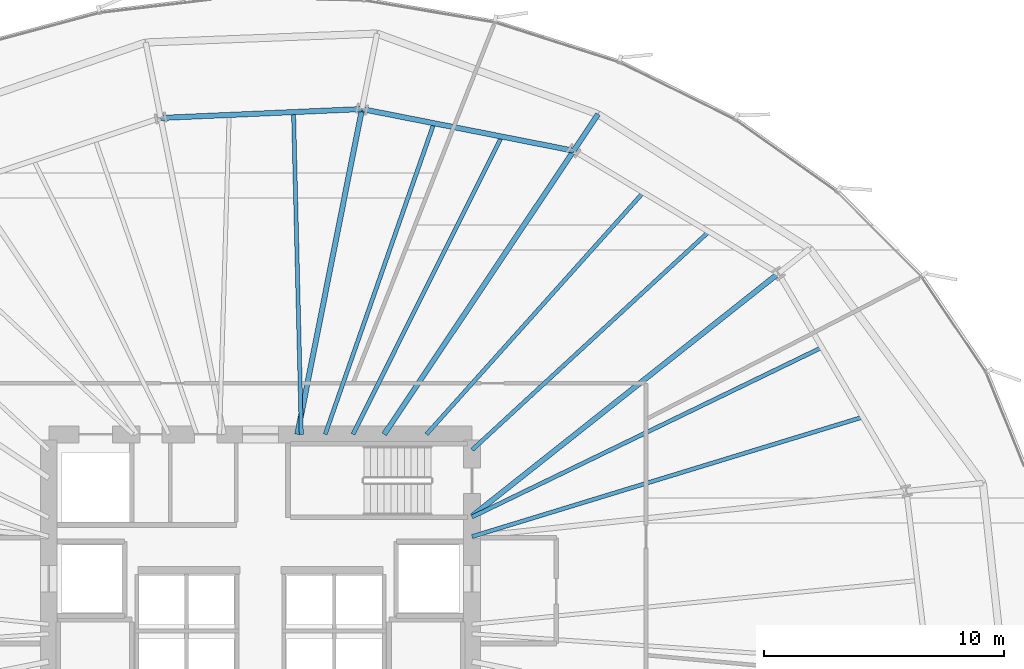
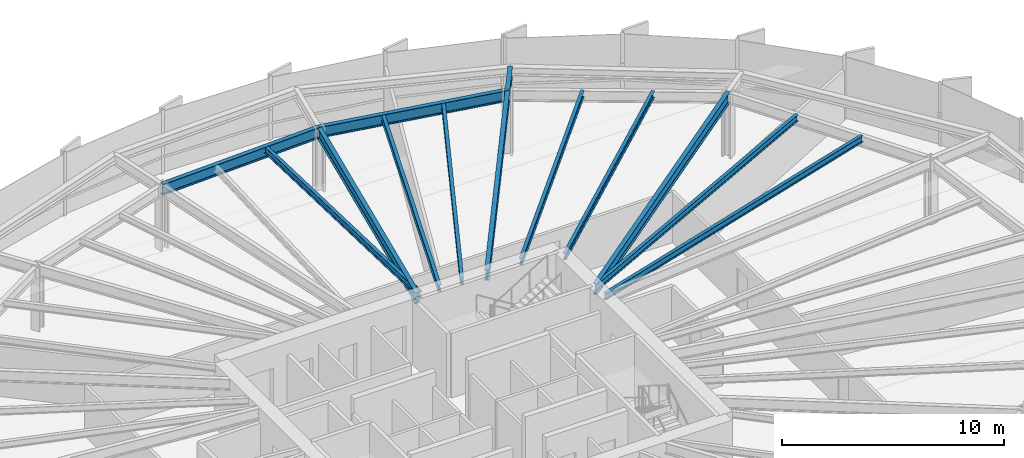
# One storey, part 22 of 39: 13 beams.
"""IFC4 building model written with IfcOpenShell, lengths in metres."""

from ifc_helpers import new_model, si_unit, direction, frame, origin, origin_2d, place, context, subcontext, project, spatial, i_section, extrude, source, transform, mapped, material, material_profile, profile_set, type_object, element, save


model = new_model("IFC4")

# Units and contexts
model_context = context("Model", 3, precision=1e-05, world=origin(), true_north=direction((0.0, 1.0)))
body_context = subcontext(model_context, "Body", "Model", "MODEL_VIEW")
ifc_project = project(units=[si_unit("LENGTHUNIT", "METRE"), si_unit("AREAUNIT", "SQUARE_METRE"), si_unit("VOLUMEUNIT", "CUBIC_METRE"), si_unit("PLANEANGLEUNIT", "RADIAN"), si_unit("MASSUNIT", "GRAM", prefix="KILO"), si_unit("THERMODYNAMICTEMPERATUREUNIT", "KELVIN")], contexts=[model_context])

# Site, building, storey
site_placement = place(None, origin())
site = spatial("IfcSite", under=ifc_project, at=site_placement, CompositionType="ELEMENT")
building_placement = place(site_placement, origin())
building = spatial("IfcBuilding", under=site, at=building_placement, Name="Kethvar Cultural Tower", CompositionType="ELEMENT")
storey_placement = place(building_placement, frame((0.0, 0.0, 41.0)))
storey = spatial("IfcBuildingStorey", under=building, at=storey_placement, Name="L09", CompositionType="ELEMENT", Elevation=41.0)

# Beams
ifc_material = material(Name="Steel S355J2", Category="steel")
ifc_material_profile_1 = material_profile(ifc_material, i_section(OverallWidth=0.219970703125, OverallDepth=0.60009765625, WebThickness=0.011962890625, FlangeThickness=0.01904296875, FilletRadius=0.02392578125, at=origin_2d()), Name="Steel S355J2 — IPE600")
ifc_profile_set_1 = profile_set([ifc_material_profile_1], Name="Steel S355J2 — IPE600")
beam_type_1 = type_object("IfcBeamType", Name="BM-IPE600", PredefinedType="BEAM", material=ifc_profile_set_1)
shared_shape_1 = source(origin(), body_context, "Body", "SweptSolid", [
    extrude(i_section(OverallWidth=0.219970703125, OverallDepth=0.60009765625, WebThickness=0.011962890625, FlangeThickness=0.01904296875, FilletRadius=0.02392578125, at=origin_2d()), origin(), (0.0, 0.0, 1.0), 16.248779296875),
])
beam_1_placement = place(storey_placement, frame((55.60009765625, 32.10009765625, 3.248046875), z_axis=(0.783831288624, 0.620973840813, 0.0), x_axis=(-0.620973840813, 0.783831288624, 0.0)))
element("IfcBeam", 1, at=beam_1_placement, inside=storey, type_object=beam_type_1, Name="L09 Primary Radial Beam RB-02", PredefinedType="BEAM", context=body_context, shape_type="MappedRepresentation", body=[
    mapped(shared_shape_1, transform((0.0, 0.0, 0.0), scale=1.0)),
])
shared_shape_2 = source(origin(), body_context, "Body", "SweptSolid", [
    extrude(i_section(OverallWidth=0.219970703125, OverallDepth=0.60009765625, WebThickness=0.011962890625, FlangeThickness=0.01904296875, FilletRadius=0.02392578125, at=origin_2d()), origin(), (0.0, 0.0, 1.0), 14.18359375),
])
beam_2_placement = place(storey_placement, frame((51.945068359375, 35.5, 3.248046875), z_axis=(0.55556584065, 0.831472547174, 0.0), x_axis=(-0.831472547174, 0.55556584065, 0.0)))
element("IfcBeam", 2, at=beam_2_placement, inside=storey, type_object=beam_type_1, Name="L09 Primary Radial Beam RB-03", PredefinedType="BEAM", context=body_context, shape_type="MappedRepresentation", body=[
    mapped(shared_shape_2, transform((0.0, 0.0, 0.0), scale=1.0)),
])
shared_shape_3 = source(origin(), body_context, "Body", "SweptSolid", [
    extrude(i_section(OverallWidth=0.219970703125, OverallDepth=0.60009765625, WebThickness=0.011962890625, FlangeThickness=0.01904296875, FilletRadius=0.02392578125, at=origin_2d()), origin(), (0.0, 0.0, 1.0), 13.791015625),
])
beam_3_placement = place(storey_placement, frame((48.33154296875, 35.5, 3.248046875), z_axis=(0.195104916429, 0.980782377281, 0.0), x_axis=(-0.980782377281, 0.195104916429, 0.0)))
element("IfcBeam", 3, at=beam_3_placement, inside=storey, type_object=beam_type_1, Name="L09 Primary Radial Beam RB-04", PredefinedType="BEAM", context=body_context, shape_type="MappedRepresentation", body=[
    mapped(shared_shape_3, transform((0.0, 0.0, 0.0), scale=1.0)),
])
ifc_material_profile_2 = material_profile(ifc_material, i_section(OverallWidth=0.169921875, OverallDepth=0.360107421875, WebThickness=0.008056640625, FlangeThickness=0.0126953125, FilletRadius=0.01806640625, at=origin_2d()), Name="Steel S355J2 — IPE360")
ifc_profile_set_2 = profile_set([ifc_material_profile_2], Name="Steel S355J2 — IPE360")
beam_type_2 = type_object("IfcBeamType", Name="BM-J360", PredefinedType="JOIST", material=ifc_profile_set_2)
shared_shape_4 = source(origin(), body_context, "Body", "SweptSolid", [
    extrude(i_section(OverallWidth=0.169921875, OverallDepth=0.360107421875, WebThickness=0.008056640625, FlangeThickness=0.0126953125, FilletRadius=0.01806640625, at=origin_2d()), origin(), (0.0, 0.0, 1.0), 16.990478515625),
])
beam_4_placement = place(storey_placement, frame((55.60009765625, 31.25, 3.367919921875), z_axis=(0.956287408668, 0.292428439149, 0.0), x_axis=(-0.292428439149, 0.956287408668, 0.0)))
element("IfcBeam", 4, at=beam_4_placement, inside=storey, type_object=beam_type_2, Name="L09 Composite Floor Joist J-01A", PredefinedType="JOIST", context=body_context, shape_type="MappedRepresentation", body=[
    mapped(shared_shape_4, transform((0.0, 0.0, 0.0), scale=1.0)),
])
shared_shape_5 = source(origin(), body_context, "Body", "SweptSolid", [
    extrude(i_section(OverallWidth=0.169921875, OverallDepth=0.360107421875, WebThickness=0.008056640625, FlangeThickness=0.0126953125, FilletRadius=0.01806640625, at=origin_2d()), origin(), (0.0, 0.0, 1.0), 16.163330078125),
])
beam_5_placement = place(storey_placement, frame((55.60009765625, 32.064697265625, 3.367919921875), z_axis=(0.899890099721, 0.436116737151, 0.0), x_axis=(-0.436116737151, 0.899890099721, 0.0)))
element("IfcBeam", 5, at=beam_5_placement, inside=storey, type_object=beam_type_2, Name="L09 Composite Floor Joist J-01B", PredefinedType="JOIST", context=body_context, shape_type="MappedRepresentation", body=[
    mapped(shared_shape_5, transform((0.0, 0.0, 0.0), scale=1.0)),
])
shared_shape_6 = source(origin(), body_context, "Body", "SweptSolid", [
    extrude(i_section(OverallWidth=0.169921875, OverallDepth=0.360107421875, WebThickness=0.008056640625, FlangeThickness=0.0126953125, FilletRadius=0.01806640625, at=origin_2d()), origin(), (0.0, 0.0, 1.0), 13.3876953125),
])
beam_6_placement = place(storey_placement, frame((55.60009765625, 34.85009765625, 3.367919921875), z_axis=(0.735175283276, 0.677877055859, 0.0), x_axis=(-0.677877055859, 0.735175283276, 0.0)))
element("IfcBeam", 6, at=beam_6_placement, inside=storey, type_object=beam_type_2, Name="L09 Composite Floor Joist J-02A", PredefinedType="JOIST", context=body_context, shape_type="MappedRepresentation", body=[
    mapped(shared_shape_6, transform((0.0, 0.0, 0.0), scale=1.0)),
])
shared_shape_7 = source(origin(), body_context, "Body", "SweptSolid", [
    extrude(i_section(OverallWidth=0.169921875, OverallDepth=0.360107421875, WebThickness=0.008056640625, FlangeThickness=0.0126953125, FilletRadius=0.01806640625, at=origin_2d()), origin(), (0.0, 0.0, 1.0), 13.508056640625),
])
beam_7_placement = place(storey_placement, frame((53.702392578125, 35.5, 3.367919921875), z_axis=(0.667503553274, 0.744606611821, 0.0), x_axis=(-0.744606611821, 0.667503553274, 0.0)))
element("IfcBeam", 7, at=beam_7_placement, inside=storey, type_object=beam_type_2, Name="L09 Composite Floor Joist J-02B", PredefinedType="JOIST", context=body_context, shape_type="MappedRepresentation", body=[
    mapped(shared_shape_7, transform((0.0, 0.0, 0.0), scale=1.0)),
])
shared_shape_8 = source(origin(), body_context, "Body", "SweptSolid", [
    extrude(i_section(OverallWidth=0.219970703125, OverallDepth=0.60009765625, WebThickness=0.011962890625, FlangeThickness=0.01904296875, FilletRadius=0.02392578125, at=origin_2d()), origin(), (0.0, 0.0, 1.0), 8.9716796875),
])
beam_8_placement = place(storey_placement, frame((59.824951171875, 47.293212890625, 3.248046875), z_axis=(-0.981173751046, 0.193127083181, 0.0), x_axis=(-0.193127083181, -0.981173751046, 0.0)))
element("IfcBeam", 8, at=beam_8_placement, inside=storey, type_object=beam_type_1, Name="L09 Column Ring Tie Beam CR-03", PredefinedType="BEAM", context=body_context, shape_type="MappedRepresentation", body=[
    mapped(shared_shape_8, transform((0.0, 0.0, 0.0), scale=1.0)),
])
shared_shape_9 = source(origin(), body_context, "Body", "SweptSolid", [
    extrude(i_section(OverallWidth=0.169921875, OverallDepth=0.360107421875, WebThickness=0.008056640625, FlangeThickness=0.0126953125, FilletRadius=0.01806640625, at=origin_2d()), origin(), (0.0, 0.0, 1.0), 13.84130859375),
])
beam_9_placement = place(storey_placement, frame((50.646484375, 35.5, 3.367919921875), z_axis=(0.446889017672, 0.894589406311, 0.0), x_axis=(-0.894589406311, 0.446889017672, 0.0)))
element("IfcBeam", 9, at=beam_9_placement, inside=storey, type_object=beam_type_2, Name="L09 Composite Floor Joist J-03A", PredefinedType="JOIST", context=body_context, shape_type="MappedRepresentation", body=[
    mapped(shared_shape_9, transform((0.0, 0.0, 0.0), scale=1.0)),
])
shared_shape_10 = source(origin(), body_context, "Body", "SweptSolid", [
    extrude(i_section(OverallWidth=0.169921875, OverallDepth=0.360107421875, WebThickness=0.008056640625, FlangeThickness=0.0126953125, FilletRadius=0.01806640625, at=origin_2d()), origin(), (0.0, 0.0, 1.0), 13.70458984375),
])
beam_10_placement = place(storey_placement, frame((49.4921875, 35.5, 3.367919921875), z_axis=(0.330030618422, 0.943970227764, 0.0), x_axis=(-0.943970227764, 0.330030618422, 0.0)))
element("IfcBeam", 10, at=beam_10_placement, inside=storey, type_object=beam_type_2, Name="L09 Composite Floor Joist J-03B", PredefinedType="JOIST", context=body_context, shape_type="MappedRepresentation", body=[
    mapped(shared_shape_10, transform((0.0, 0.0, 0.0), scale=1.0)),
])
shared_shape_11 = source(origin(), body_context, "Body", "SweptSolid", [
    extrude(i_section(OverallWidth=0.219970703125, OverallDepth=0.60009765625, WebThickness=0.011962890625, FlangeThickness=0.01904296875, FilletRadius=0.02392578125, at=origin_2d()), origin(), (0.0, 0.0, 1.0), 8.378662109375),
])
beam_11_placement = place(storey_placement, frame((51.022216796875, 49.02587890625, 3.248046875), z_axis=(-0.999023890534, -0.04417313825, 0.0), x_axis=(0.04417313825, -0.999023890534, 0.0)))
element("IfcBeam", 11, at=beam_11_placement, inside=storey, type_object=beam_type_1, Name="L09 Column Ring Tie Beam CR-04", PredefinedType="BEAM", context=body_context, shape_type="MappedRepresentation", body=[
    mapped(shared_shape_11, transform((0.0, 0.0, 0.0), scale=1.0)),
])
shared_shape_12 = source(origin(), body_context, "Body", "SweptSolid", [
    extrude(i_section(OverallWidth=0.169921875, OverallDepth=0.360107421875, WebThickness=0.008056640625, FlangeThickness=0.0126953125, FilletRadius=0.01806640625, at=origin_2d()), origin(), (0.0, 0.0, 1.0), 13.40380859375),
])
beam_12_placement = place(storey_placement, frame((48.5, 35.5, 3.367919921875), z_axis=(-0.024170322554, 0.999707855079, 0.0), x_axis=(-0.999707855079, -0.024170322554, 0.0)))
element("IfcBeam", 12, at=beam_12_placement, inside=storey, type_object=beam_type_2, Name="L09 Composite Floor Joist J-04A", PredefinedType="JOIST", context=body_context, shape_type="MappedRepresentation", body=[
    mapped(shared_shape_12, transform((0.0, 0.0, 0.0), scale=1.0)),
])
shared_shape_13 = source(origin(), body_context, "Body", "SweptSolid", [
    extrude(i_section(OverallWidth=0.219970703125, OverallDepth=0.60009765625, WebThickness=0.011962890625, FlangeThickness=0.01904296875, FilletRadius=0.02392578125, at=origin_2d()), origin(), (0.0, 0.0, 1.0), 1.824462890625),
])
beam_13_placement = place(storey_placement, frame((59.824951171875, 47.293212890625, 3.248046875), z_axis=(0.555564492451, 0.831473447999, 0.0), x_axis=(-0.831473447999, 0.555564492451, 0.0)))
element("IfcBeam", 13, at=beam_13_placement, inside=storey, type_object=beam_type_1, Name="L09 Perimeter Cantilever Beam RC-03", PredefinedType="BEAM", context=body_context, shape_type="MappedRepresentation", body=[
    mapped(shared_shape_13, transform((0.0, 0.0, 0.0), scale=1.0)),
])

save(model, "model.ifc")
